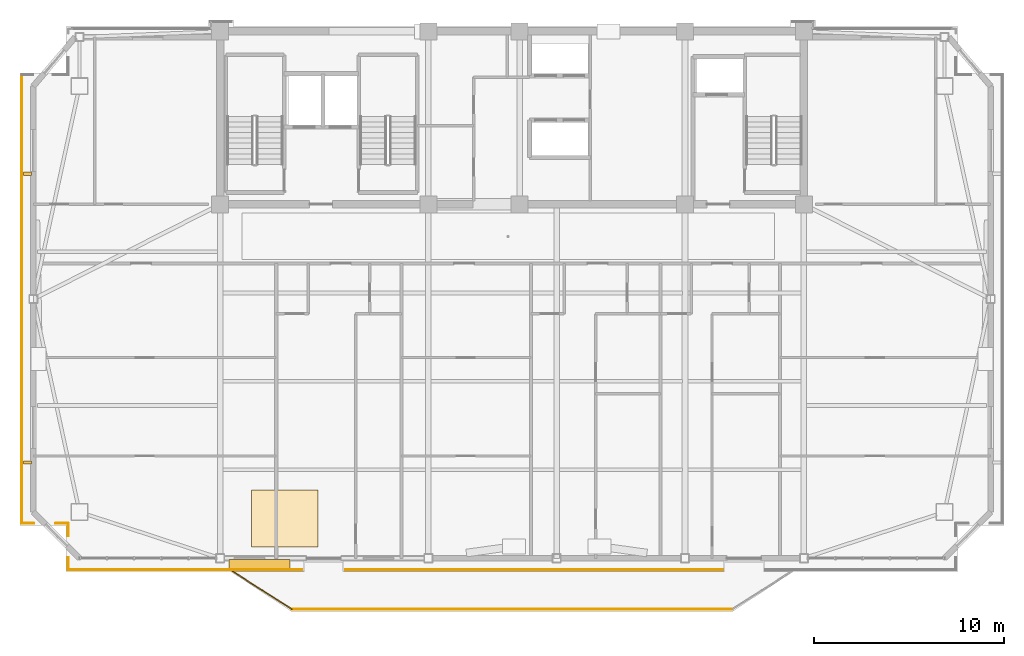
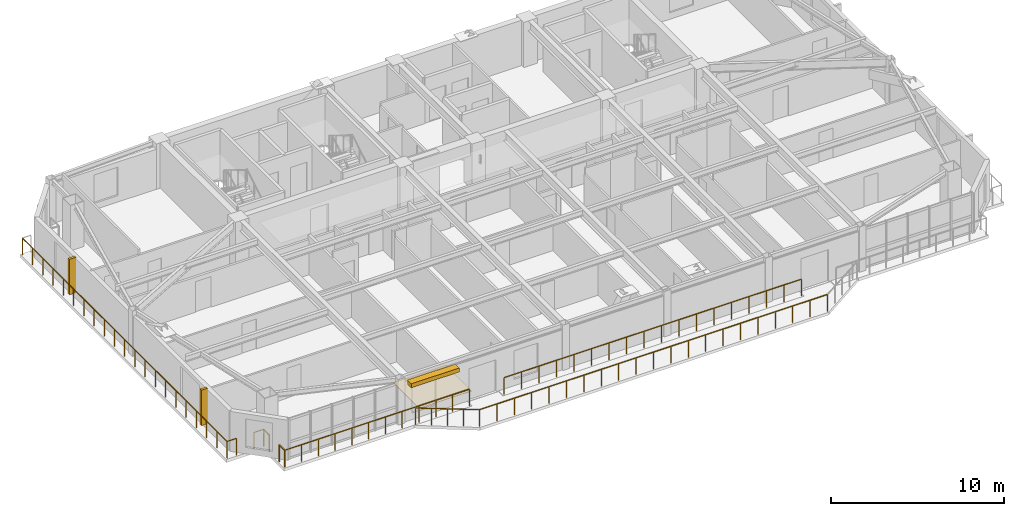
# One storey, part 12 of 15: 9 railings, 3 shading devices, 1 covering.
"""IFC4 building model written with IfcOpenShell, lengths in metres."""

from ifc_helpers import new_model, si_unit, direction, frame, origin, origin_2d, place, context, subcontext, project, spatial, polyline, rectangle, outline, extrude, source, transform, mapped, material, layer, layer_set, type_object, element, save


model = new_model("IFC4")

# Units and contexts
model_context = context("Model", 3, precision=1e-05, world=origin(), true_north=direction((0.0, 1.0)))
body_context = subcontext(model_context, "Body", "Model", "MODEL_VIEW")
ifc_project = project(units=[si_unit("LENGTHUNIT", "METRE"), si_unit("AREAUNIT", "SQUARE_METRE"), si_unit("VOLUMEUNIT", "CUBIC_METRE"), si_unit("PLANEANGLEUNIT", "RADIAN"), si_unit("MASSUNIT", "GRAM", prefix="KILO")], contexts=[model_context])

# Site, building, storey
site_placement = place(None, origin())
site = spatial("IfcSite", under=ifc_project, at=site_placement, CompositionType="ELEMENT")
building_placement = place(site_placement, origin())
building = spatial("IfcBuilding", under=site, at=building_placement, Name="Giltprow Tower", CompositionType="ELEMENT")
storey_placement = place(building_placement, frame((0.0, 0.0, 297.199951171875)))
storey = spatial("IfcBuildingStorey", under=building, at=storey_placement, Name="L76", CompositionType="ELEMENT", Elevation=297.199951171875)

# Covering
ifc_material_1 = material(Name="Engineered oak", Category="wood")
ifc_layer = layer(ifc_material_1, 0.02490234375, Name="Engineered oak")
ifc_layer_set = layer_set([ifc_layer], Name="Engineered oak")
covering_type = type_object("IfcCoveringType", Name="COV-FLR-TIMBER", PredefinedType="FLOORING", material=ifc_layer_set)
covering_placement = place(storey_placement, origin())
element("IfcCovering", 1, at=covering_placement, inside=storey, type_object=covering_type, Name="L76 Residence Oak Parquet Flooring", PredefinedType="FLOORING", context=body_context, shape_type="SweptSolid", body=[
    extrude(outline(polyline([(21.5, 19.44091796875), (25.0, 19.44091796875), (25.0, 22.44091796875), (21.5, 22.44091796875), (21.5, 19.44091796875)])), origin(), (0.0, 0.0, 1.0), 0.025146484375),
])

# Railings
ifc_material_2 = material(Name="Anodized bronze", Category="metal")
railing_type = type_object("IfcRailingType", Name="RAIL-BALC-GUARD-1200", PredefinedType="BALUSTRADE", material=ifc_material_2)
railing_1_placement = place(storey_placement, frame((20.52001953125, 18.14111328125, 0.0)))
element("IfcRailing", 2, at=railing_1_placement, inside=storey, type_object=railing_type, Name="L76 Waterfront Balcony Balustrade Seg 1", PredefinedType="BALUSTRADE", context=body_context, shape_type="SweptSolid", body=[
    extrude(rectangle(XDim=0.048095703125, YDim=0.048095703125, at=origin_2d()), frame((0.0, 0.0, 1.17578125), z_axis=(0.842744768896, -0.5383133423, 0.0), x_axis=(0.5383133423, 0.842744768896, 0.0)), (0.0, 0.0, 1.0), 3.678466796875),
    extrude(rectangle(XDim=0.0419921875, YDim=0.0419921875, at=origin_2d()), origin(), (0.0, 0.0, 1.0), 1.15185546875),
    extrude(rectangle(XDim=0.0419921875, YDim=0.0419921875, at=origin_2d()), frame((0.77490234375, -0.4951171875, 0.0)), (0.0, 0.0, 1.0), 1.15185546875),
    extrude(rectangle(XDim=0.0419921875, YDim=0.0419921875, at=origin_2d()), frame((1.550048828125, -0.990234375, 0.0)), (0.0, 0.0, 1.0), 1.15185546875),
    extrude(rectangle(XDim=0.0419921875, YDim=0.0419921875, at=origin_2d()), frame((2.3251953125, -1.485107421875, 0.0)), (0.0, 0.0, 1.0), 1.15185546875),
    extrude(rectangle(XDim=0.0419921875, YDim=0.0419921875, at=origin_2d()), frame((3.10009765625, -1.980224609375, 0.0)), (0.0, 0.0, 1.0), 1.15185546875),
])
railing_2_placement = place(storey_placement, frame((23.6201171875, 16.160888671875, 0.0)))
element("IfcRailing", 3, at=railing_2_placement, inside=storey, type_object=railing_type, Name="L76 Waterfront Balcony Balustrade Seg 2", PredefinedType="BALUSTRADE", context=body_context, shape_type="SweptSolid", body=[
    extrude(rectangle(XDim=0.048095703125, YDim=0.048095703125, at=origin_2d()), frame((0.0, 0.0, 1.17578125), z_axis=(1.0, 0.0, 0.0), x_axis=(0.0, 1.0, 0.0)), (0.0, 0.0, 1.0), 23.159912109375),
    extrude(rectangle(XDim=0.0419921875, YDim=0.0419921875, at=origin_2d()), origin(), (0.0, 0.0, 1.0), 1.15185546875),
    extrude(rectangle(XDim=0.0419921875, YDim=0.0419921875, at=origin_2d()), frame((1.157958984375, 0.0, 0.0)), (0.0, 0.0, 1.0), 1.15185546875),
    extrude(rectangle(XDim=0.0419921875, YDim=0.0419921875, at=origin_2d()), frame((2.31591796875, 0.0, 0.0)), (0.0, 0.0, 1.0), 1.15185546875),
    extrude(rectangle(XDim=0.0419921875, YDim=0.0419921875, at=origin_2d()), frame((3.473876953125, 0.0, 0.0)), (0.0, 0.0, 1.0), 1.15185546875),
    extrude(rectangle(XDim=0.0419921875, YDim=0.0419921875, at=origin_2d()), frame((4.632080078125, 0.0, 0.0)), (0.0, 0.0, 1.0), 1.15185546875),
    extrude(rectangle(XDim=0.0419921875, YDim=0.0419921875, at=origin_2d()), frame((5.7900390625, 0.0, 0.0)), (0.0, 0.0, 1.0), 1.15185546875),
    extrude(rectangle(XDim=0.0419921875, YDim=0.0419921875, at=origin_2d()), frame((6.947998046875, 0.0, 0.0)), (0.0, 0.0, 1.0), 1.15185546875),
    extrude(rectangle(XDim=0.0419921875, YDim=0.0419921875, at=origin_2d()), frame((8.10595703125, 0.0, 0.0)), (0.0, 0.0, 1.0), 1.15185546875),
    extrude(rectangle(XDim=0.0419921875, YDim=0.0419921875, at=origin_2d()), frame((9.263916015625, 0.0, 0.0)), (0.0, 0.0, 1.0), 1.15185546875),
    extrude(rectangle(XDim=0.0419921875, YDim=0.0419921875, at=origin_2d()), frame((10.421875, 0.0, 0.0)), (0.0, 0.0, 1.0), 1.15185546875),
    extrude(rectangle(XDim=0.0419921875, YDim=0.0419921875, at=origin_2d()), frame((11.580078125, 0.0, 0.0)), (0.0, 0.0, 1.0), 1.15185546875),
    extrude(rectangle(XDim=0.0419921875, YDim=0.0419921875, at=origin_2d()), frame((12.738037109375, 0.0, 0.0)), (0.0, 0.0, 1.0), 1.15185546875),
    extrude(rectangle(XDim=0.0419921875, YDim=0.0419921875, at=origin_2d()), frame((13.89599609375, 0.0, 0.0)), (0.0, 0.0, 1.0), 1.15185546875),
    extrude(rectangle(XDim=0.0419921875, YDim=0.0419921875, at=origin_2d()), frame((15.053955078125, 0.0, 0.0)), (0.0, 0.0, 1.0), 1.15185546875),
    extrude(rectangle(XDim=0.0419921875, YDim=0.0419921875, at=origin_2d()), frame((16.2119140625, 0.0, 0.0)), (0.0, 0.0, 1.0), 1.15185546875),
    extrude(rectangle(XDim=0.0419921875, YDim=0.0419921875, at=origin_2d()), frame((17.369873046875, 0.0, 0.0)), (0.0, 0.0, 1.0), 1.15185546875),
    extrude(rectangle(XDim=0.0419921875, YDim=0.0419921875, at=origin_2d()), frame((18.52783203125, 0.0, 0.0)), (0.0, 0.0, 1.0), 1.15185546875),
    extrude(rectangle(XDim=0.0419921875, YDim=0.0419921875, at=origin_2d()), frame((19.68603515625, 0.0, 0.0)), (0.0, 0.0, 1.0), 1.15185546875),
    extrude(rectangle(XDim=0.0419921875, YDim=0.0419921875, at=origin_2d()), frame((20.843994140625, 0.0, 0.0)), (0.0, 0.0, 1.0), 1.15185546875),
    extrude(rectangle(XDim=0.0419921875, YDim=0.0419921875, at=origin_2d()), frame((22.001953125, 0.0, 0.0)), (0.0, 0.0, 1.0), 1.15185546875),
    extrude(rectangle(XDim=0.0419921875, YDim=0.0419921875, at=origin_2d()), frame((23.159912109375, 0.0, 0.0)), (0.0, 0.0, 1.0), 1.15185546875),
])
railing_3_placement = place(storey_placement, frame((46.25, 18.240966796875, 0.0)))
element("IfcRailing", 4, at=railing_3_placement, inside=storey, type_object=railing_type, Name="L76 Corner Apron Edge Balustrade 7", PredefinedType="BALUSTRADE", context=body_context, shape_type="SweptSolid", body=[
    extrude(rectangle(XDim=0.048095703125, YDim=0.048095703125, at=origin_2d()), frame((0.0, 0.0, 1.17578125), z_axis=(-1.0, 0.0, 0.0), x_axis=(0.0, -1.0, 0.0)), (0.0, 0.0, 1.0), 19.800048828125),
    extrude(rectangle(XDim=0.0419921875, YDim=0.0419921875, at=origin_2d()), origin(), (0.0, 0.0, 1.0), 1.15185546875),
    extrude(rectangle(XDim=0.0419921875, YDim=0.0419921875, at=origin_2d()), frame((-1.164794921875, 0.0, 0.0)), (0.0, 0.0, 1.0), 1.15185546875),
    extrude(rectangle(XDim=0.0419921875, YDim=0.0419921875, at=origin_2d()), frame((-2.329345703125, 0.0, 0.0)), (0.0, 0.0, 1.0), 1.15185546875),
    extrude(rectangle(XDim=0.0419921875, YDim=0.0419921875, at=origin_2d()), frame((-3.494140625, 0.0, 0.0)), (0.0, 0.0, 1.0), 1.15185546875),
    extrude(rectangle(XDim=0.0419921875, YDim=0.0419921875, at=origin_2d()), frame((-4.658935546875, 0.0, 0.0)), (0.0, 0.0, 1.0), 1.15185546875),
    extrude(rectangle(XDim=0.0419921875, YDim=0.0419921875, at=origin_2d()), frame((-5.823486328125, 0.0, 0.0)), (0.0, 0.0, 1.0), 1.15185546875),
    extrude(rectangle(XDim=0.0419921875, YDim=0.0419921875, at=origin_2d()), frame((-6.98828125, 0.0, 0.0)), (0.0, 0.0, 1.0), 1.15185546875),
    extrude(rectangle(XDim=0.0419921875, YDim=0.0419921875, at=origin_2d()), frame((-8.153076171875, 0.0, 0.0)), (0.0, 0.0, 1.0), 1.15185546875),
    extrude(rectangle(XDim=0.0419921875, YDim=0.0419921875, at=origin_2d()), frame((-9.317626953125, 0.0, 0.0)), (0.0, 0.0, 1.0), 1.15185546875),
    extrude(rectangle(XDim=0.0419921875, YDim=0.0419921875, at=origin_2d()), frame((-10.482421875, 0.0, 0.0)), (0.0, 0.0, 1.0), 1.15185546875),
    extrude(rectangle(XDim=0.0419921875, YDim=0.0419921875, at=origin_2d()), frame((-11.64697265625, 0.0, 0.0)), (0.0, 0.0, 1.0), 1.15185546875),
    extrude(rectangle(XDim=0.0419921875, YDim=0.0419921875, at=origin_2d()), frame((-12.811767578125, 0.0, 0.0)), (0.0, 0.0, 1.0), 1.15185546875),
    extrude(rectangle(XDim=0.0419921875, YDim=0.0419921875, at=origin_2d()), frame((-13.9765625, 0.0, 0.0)), (0.0, 0.0, 1.0), 1.15185546875),
    extrude(rectangle(XDim=0.0419921875, YDim=0.0419921875, at=origin_2d()), frame((-15.14111328125, 0.0, 0.0)), (0.0, 0.0, 1.0), 1.15185546875),
    extrude(rectangle(XDim=0.0419921875, YDim=0.0419921875, at=origin_2d()), frame((-16.305908203125, 0.0, 0.0)), (0.0, 0.0, 1.0), 1.15185546875),
    extrude(rectangle(XDim=0.0419921875, YDim=0.0419921875, at=origin_2d()), frame((-17.470703125, 0.0, 0.0)), (0.0, 0.0, 1.0), 1.15185546875),
    extrude(rectangle(XDim=0.0419921875, YDim=0.0419921875, at=origin_2d()), frame((-18.63525390625, 0.0, 0.0)), (0.0, 0.0, 1.0), 1.15185546875),
    extrude(rectangle(XDim=0.0419921875, YDim=0.0419921875, at=origin_2d()), frame((-19.800048828125, 0.0, 0.0)), (0.0, 0.0, 1.0), 1.15185546875),
])
railing_4_placement = place(storey_placement, frame((24.14990234375, 18.240966796875, 0.0)))
element("IfcRailing", 5, at=railing_4_placement, inside=storey, type_object=railing_type, Name="L76 Corner Apron Edge Balustrade 8", PredefinedType="BALUSTRADE", context=body_context, shape_type="SweptSolid", body=[
    extrude(rectangle(XDim=0.048095703125, YDim=0.048095703125, at=origin_2d()), frame((0.0, 0.0, 1.17578125), z_axis=(-1.0, 0.0, 0.0), x_axis=(0.0, -1.0, 0.0)), (0.0, 0.0, 1.0), 12.294921875),
    extrude(rectangle(XDim=0.0419921875, YDim=0.0419921875, at=origin_2d()), origin(), (0.0, 0.0, 1.0), 1.15185546875),
    extrude(rectangle(XDim=0.0419921875, YDim=0.0419921875, at=origin_2d()), frame((-1.11767578125, 0.0, 0.0)), (0.0, 0.0, 1.0), 1.15185546875),
    extrude(rectangle(XDim=0.0419921875, YDim=0.0419921875, at=origin_2d()), frame((-2.2353515625, 0.0, 0.0)), (0.0, 0.0, 1.0), 1.15185546875),
    extrude(rectangle(XDim=0.0419921875, YDim=0.0419921875, at=origin_2d()), frame((-3.353271484375, 0.0, 0.0)), (0.0, 0.0, 1.0), 1.15185546875),
    extrude(rectangle(XDim=0.0419921875, YDim=0.0419921875, at=origin_2d()), frame((-4.470947265625, 0.0, 0.0)), (0.0, 0.0, 1.0), 1.15185546875),
    extrude(rectangle(XDim=0.0419921875, YDim=0.0419921875, at=origin_2d()), frame((-5.588623046875, 0.0, 0.0)), (0.0, 0.0, 1.0), 1.15185546875),
    extrude(rectangle(XDim=0.0419921875, YDim=0.0419921875, at=origin_2d()), frame((-6.706298828125, 0.0, 0.0)), (0.0, 0.0, 1.0), 1.15185546875),
    extrude(rectangle(XDim=0.0419921875, YDim=0.0419921875, at=origin_2d()), frame((-7.823974609375, 0.0, 0.0)), (0.0, 0.0, 1.0), 1.15185546875),
    extrude(rectangle(XDim=0.0419921875, YDim=0.0419921875, at=origin_2d()), frame((-8.941650390625, 0.0, 0.0)), (0.0, 0.0, 1.0), 1.15185546875),
    extrude(rectangle(XDim=0.0419921875, YDim=0.0419921875, at=origin_2d()), frame((-10.0595703125, 0.0, 0.0)), (0.0, 0.0, 1.0), 1.15185546875),
    extrude(rectangle(XDim=0.0419921875, YDim=0.0419921875, at=origin_2d()), frame((-11.17724609375, 0.0, 0.0)), (0.0, 0.0, 1.0), 1.15185546875),
    extrude(rectangle(XDim=0.0419921875, YDim=0.0419921875, at=origin_2d()), frame((-12.294921875, 0.0, 0.0)), (0.0, 0.0, 1.0), 1.15185546875),
])
railing_5_placement = place(storey_placement, frame((11.85498046875, 18.240966796875, 0.0)))
element("IfcRailing", 6, at=railing_5_placement, inside=storey, type_object=railing_type, Name="L76 Corner Apron Edge Balustrade 9", PredefinedType="BALUSTRADE", context=body_context, shape_type="SweptSolid", body=[
    extrude(rectangle(XDim=0.048095703125, YDim=0.048095703125, at=origin_2d()), frame((0.0, 0.0, 1.17578125), z_axis=(0.0, 1.0, 0.0), x_axis=(-1.0, 0.0, 0.0)), (0.0, 0.0, 1.0), 0.6201171875),
    extrude(rectangle(XDim=0.0419921875, YDim=0.0419921875, at=origin_2d()), origin(), (0.0, 0.0, 1.0), 1.15185546875),
    extrude(rectangle(XDim=0.0419921875, YDim=0.0419921875, at=origin_2d()), frame((0.0, 0.6201171875, 0.0)), (0.0, 0.0, 1.0), 1.15185546875),
])
railing_6_placement = place(storey_placement, frame((11.85498046875, 20.02099609375, 0.0)))
element("IfcRailing", 7, at=railing_6_placement, inside=storey, type_object=railing_type, Name="L76 Corner Apron Edge Balustrade 10", PredefinedType="BALUSTRADE", context=body_context, shape_type="SweptSolid", body=[
    extrude(rectangle(XDim=0.048095703125, YDim=0.048095703125, at=origin_2d()), frame((0.0, 0.0, 1.17578125), z_axis=(0.0, 1.0, 0.0), x_axis=(-1.0, 0.0, 0.0)), (0.0, 0.0, 1.0), 0.651123046875),
    extrude(rectangle(XDim=0.0419921875, YDim=0.0419921875, at=origin_2d()), origin(), (0.0, 0.0, 1.0), 1.15185546875),
    extrude(rectangle(XDim=0.0419921875, YDim=0.0419921875, at=origin_2d()), frame((0.0, 0.651123046875, 0.0)), (0.0, 0.0, 1.0), 1.15185546875),
])
railing_7_placement = place(storey_placement, frame((11.85498046875, 20.672119140625, 0.0)))
element("IfcRailing", 8, at=railing_7_placement, inside=storey, type_object=railing_type, Name="L76 Corner Apron Edge Balustrade 11", PredefinedType="BALUSTRADE", context=body_context, shape_type="SweptSolid", body=[
    extrude(rectangle(XDim=0.048095703125, YDim=0.048095703125, at=origin_2d()), frame((0.0, 0.0, 1.17578125), z_axis=(-1.0, 0.0, 0.0), x_axis=(0.0, -1.0, 0.0)), (0.0, 0.0, 1.0), 0.65087890625),
    extrude(rectangle(XDim=0.0419921875, YDim=0.0419921875, at=origin_2d()), origin(), (0.0, 0.0, 1.0), 1.15185546875),
    extrude(rectangle(XDim=0.0419921875, YDim=0.0419921875, at=origin_2d()), frame((-0.65087890625, 0.0, 0.0)), (0.0, 0.0, 1.0), 1.15185546875),
])
railing_8_placement = place(storey_placement, frame((10.0439453125, 20.672119140625, 0.0)))
element("IfcRailing", 9, at=railing_8_placement, inside=storey, type_object=railing_type, Name="L76 Corner Apron Edge Balustrade 12", PredefinedType="BALUSTRADE", context=body_context, shape_type="SweptSolid", body=[
    extrude(rectangle(XDim=0.048095703125, YDim=0.048095703125, at=origin_2d()), frame((0.0, 0.0, 1.17578125), z_axis=(-1.0, 0.0, 0.0), x_axis=(0.0, -1.0, 0.0)), (0.0, 0.0, 1.0), 0.619873046875),
    extrude(rectangle(XDim=0.0419921875, YDim=0.0419921875, at=origin_2d()), origin(), (0.0, 0.0, 1.0), 1.15185546875),
    extrude(rectangle(XDim=0.0419921875, YDim=0.0419921875, at=origin_2d()), frame((-0.619873046875, 0.0, 0.0)), (0.0, 0.0, 1.0), 1.15185546875),
])
railing_9_placement = place(storey_placement, frame((9.424072265625, 20.672119140625, 0.0)))
element("IfcRailing", 10, at=railing_9_placement, inside=storey, type_object=railing_type, Name="L76 Corner Apron Edge Balustrade 13", PredefinedType="BALUSTRADE", context=body_context, shape_type="SweptSolid", body=[
    extrude(rectangle(XDim=0.048095703125, YDim=0.048095703125, at=origin_2d()), frame((0.0, 0.0, 1.17578125), z_axis=(0.0, 1.0, 0.0), x_axis=(-1.0, 0.0, 0.0)), (0.0, 0.0, 1.0), 23.597900390625),
    extrude(rectangle(XDim=0.0419921875, YDim=0.0419921875, at=origin_2d()), origin(), (0.0, 0.0, 1.0), 1.15185546875),
    extrude(rectangle(XDim=0.0419921875, YDim=0.0419921875, at=origin_2d()), frame((0.0, 1.179931640625, 0.0)), (0.0, 0.0, 1.0), 1.15185546875),
    extrude(rectangle(XDim=0.0419921875, YDim=0.0419921875, at=origin_2d()), frame((0.0, 2.35986328125, 0.0)), (0.0, 0.0, 1.0), 1.15185546875),
    extrude(rectangle(XDim=0.0419921875, YDim=0.0419921875, at=origin_2d()), frame((0.0, 3.539794921875, 0.0)), (0.0, 0.0, 1.0), 1.15185546875),
    extrude(rectangle(XDim=0.0419921875, YDim=0.0419921875, at=origin_2d()), frame((0.0, 4.719482421875, 0.0)), (0.0, 0.0, 1.0), 1.15185546875),
    extrude(rectangle(XDim=0.0419921875, YDim=0.0419921875, at=origin_2d()), frame((0.0, 5.8994140625, 0.0)), (0.0, 0.0, 1.0), 1.15185546875),
    extrude(rectangle(XDim=0.0419921875, YDim=0.0419921875, at=origin_2d()), frame((0.0, 7.079345703125, 0.0)), (0.0, 0.0, 1.0), 1.15185546875),
    extrude(rectangle(XDim=0.0419921875, YDim=0.0419921875, at=origin_2d()), frame((0.0, 8.25927734375, 0.0)), (0.0, 0.0, 1.0), 1.15185546875),
    extrude(rectangle(XDim=0.0419921875, YDim=0.0419921875, at=origin_2d()), frame((0.0, 9.439208984375, 0.0)), (0.0, 0.0, 1.0), 1.15185546875),
    extrude(rectangle(XDim=0.0419921875, YDim=0.0419921875, at=origin_2d()), frame((0.0, 10.619140625, 0.0)), (0.0, 0.0, 1.0), 1.15185546875),
    extrude(rectangle(XDim=0.0419921875, YDim=0.0419921875, at=origin_2d()), frame((0.0, 11.798828125, 0.0)), (0.0, 0.0, 1.0), 1.15185546875),
    extrude(rectangle(XDim=0.0419921875, YDim=0.0419921875, at=origin_2d()), frame((0.0, 12.978759765625, 0.0)), (0.0, 0.0, 1.0), 1.15185546875),
    extrude(rectangle(XDim=0.0419921875, YDim=0.0419921875, at=origin_2d()), frame((0.0, 14.15869140625, 0.0)), (0.0, 0.0, 1.0), 1.15185546875),
    extrude(rectangle(XDim=0.0419921875, YDim=0.0419921875, at=origin_2d()), frame((0.0, 15.338623046875, 0.0)), (0.0, 0.0, 1.0), 1.15185546875),
    extrude(rectangle(XDim=0.0419921875, YDim=0.0419921875, at=origin_2d()), frame((0.0, 16.5185546875, 0.0)), (0.0, 0.0, 1.0), 1.15185546875),
    extrude(rectangle(XDim=0.0419921875, YDim=0.0419921875, at=origin_2d()), frame((0.0, 17.698486328125, 0.0)), (0.0, 0.0, 1.0), 1.15185546875),
    extrude(rectangle(XDim=0.0419921875, YDim=0.0419921875, at=origin_2d()), frame((0.0, 18.87841796875, 0.0)), (0.0, 0.0, 1.0), 1.15185546875),
    extrude(rectangle(XDim=0.0419921875, YDim=0.0419921875, at=origin_2d()), frame((0.0, 20.05810546875, 0.0)), (0.0, 0.0, 1.0), 1.15185546875),
    extrude(rectangle(XDim=0.0419921875, YDim=0.0419921875, at=origin_2d()), frame((0.0, 21.238037109375, 0.0)), (0.0, 0.0, 1.0), 1.15185546875),
    extrude(rectangle(XDim=0.0419921875, YDim=0.0419921875, at=origin_2d()), frame((0.0, 22.41796875, 0.0)), (0.0, 0.0, 1.0), 1.15185546875),
    extrude(rectangle(XDim=0.0419921875, YDim=0.0419921875, at=origin_2d()), frame((0.0, 23.597900390625, 0.0)), (0.0, 0.0, 1.0), 1.15185546875),
])

# Shading devices
shading_device_type_1 = type_object("IfcShadingDeviceType", Name="SHD-FIN-420", PredefinedType="USERDEFINED", material=ifc_material_2)
shared_shape_1 = source(origin(), body_context, "Body", "SweptSolid", [
    extrude(rectangle(XDim=0.419921875, YDim=0.159912109375, at=origin_2d()), origin(), (0.0, 0.0, 1.0), 2.5),
])
for number, where, z_axis, x_axis, name in (
    (11, (9.72412109375, 23.8798828125, 0.35009765625), (0.0, 0.0, 1.0), (1.0, 0.0, 0.0), "L76 W Bronze Vertical Fin 1-1"),
    (12, (9.72412109375, 39.06396484375, 0.35009765625), (0.0, 0.0, 1.0), (1.0, 0.0, 0.0), "L76 W Bronze Vertical Fin 2-1"),
):
    element("IfcShadingDevice", number, at=place(storey_placement, frame(where, z_axis=z_axis, x_axis=x_axis)), inside=storey, type_object=shading_device_type_1, Name=name, ObjectType="FIN", PredefinedType="USERDEFINED", context=body_context, shape_type="MappedRepresentation", body=[
        mapped(shared_shape_1, transform((0.0, 0.0, 0.0), x_axis=(1.0, 0.0, 0.0), y_axis=(0.0, 1.0, 0.0), z_axis=(0.0, 0.0, 1.0), scale=1.0)),
    ])
shading_device_type_2 = type_object("IfcShadingDeviceType", Name="SHD-LOUVRE-320", PredefinedType="JALOUSIE", material=ifc_material_2)
shared_shape_2 = source(origin(), body_context, "Body", "SweptSolid", [
    extrude(rectangle(XDim=3.199951171875, YDim=0.449951171875, at=origin_2d()), origin(), (0.0, 0.0, 1.0), 0.280029296875),
])
shading_device_placement = place(storey_placement, frame((21.925048828125, 18.541015625, 2.56005859375), z_axis=(0.0, 0.0, 1.0), x_axis=(1.0, 0.0, 0.0)))
element("IfcShadingDevice", 13, at=shading_device_placement, inside=storey, type_object=shading_device_type_2, Name="L76 Bronze Sunshade Louvre S-2", PredefinedType="JALOUSIE", context=body_context, shape_type="MappedRepresentation", body=[
    mapped(shared_shape_2, transform((0.0, 0.0, 0.0), x_axis=(1.0, 0.0, 0.0), y_axis=(0.0, 1.0, 0.0), z_axis=(0.0, 0.0, 1.0), scale=1.0)),
])

save(model, "model.ifc")
